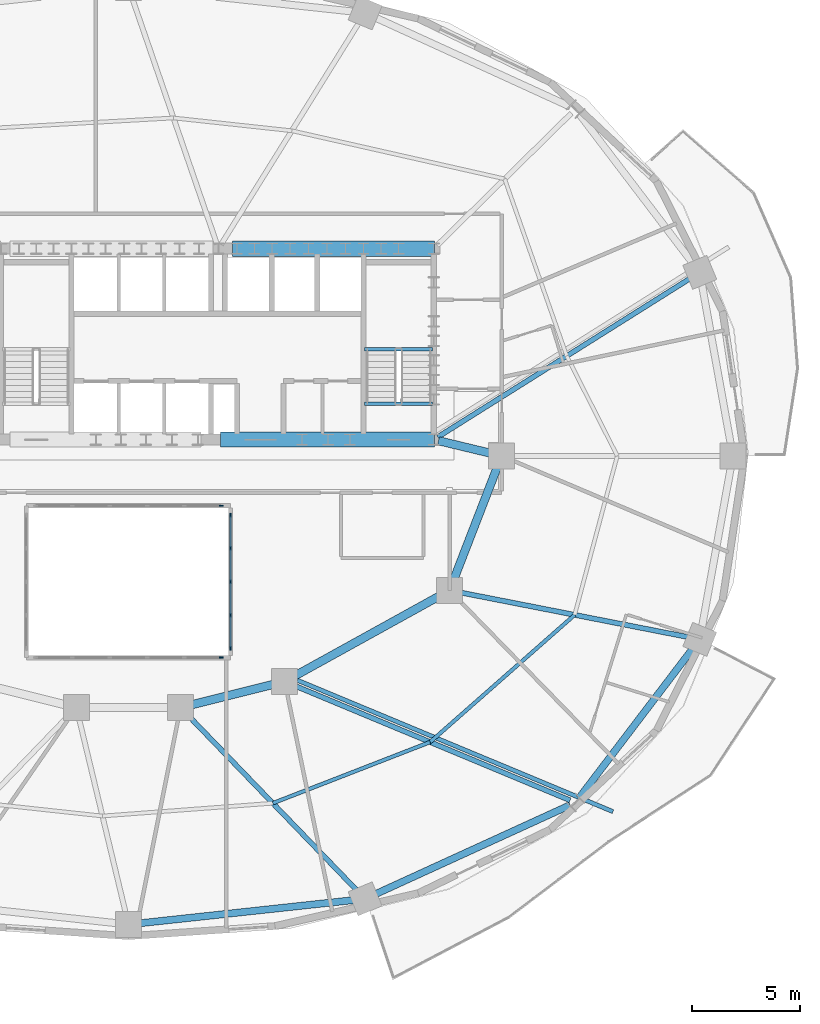
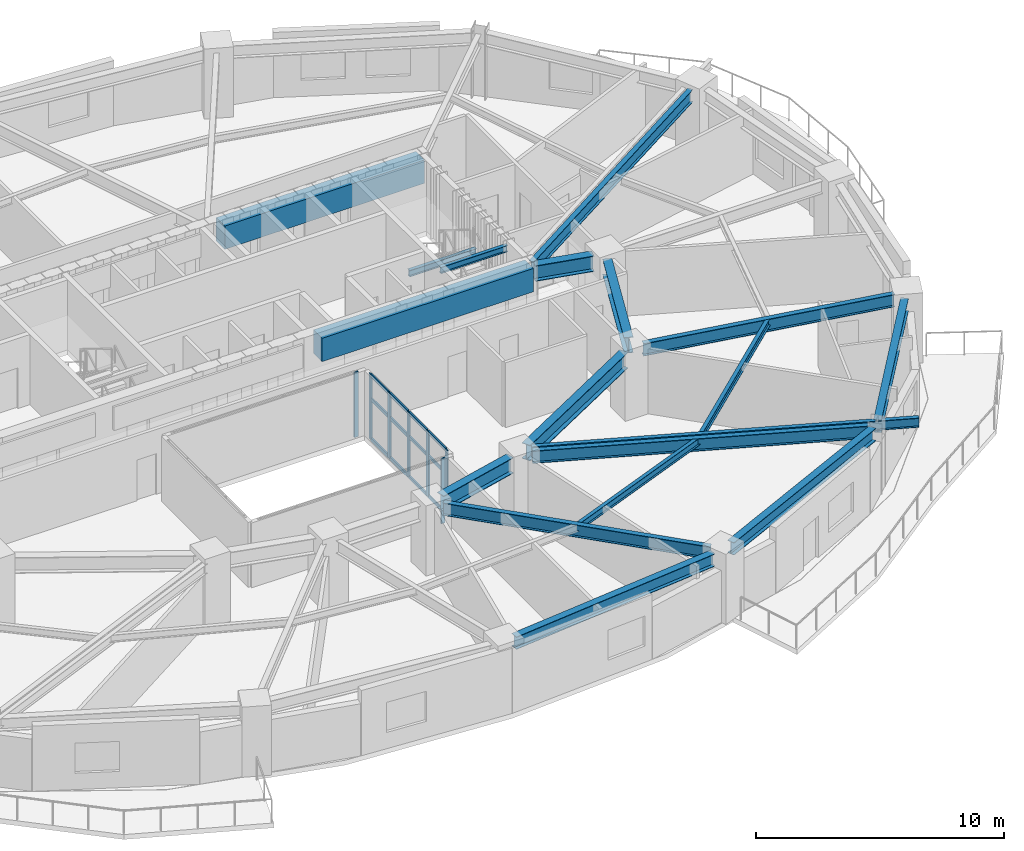
# One storey, part 4 of 12: 19 members, 18 beams, 3 elements without a shape of their own.
"""IFC4 building model written with IfcOpenShell, lengths in metres."""

from ifc_helpers import new_model, si_unit, direction, frame, origin, origin_2d, place, context, subcontext, project, spatial, rectangle, i_section, extrude, material, material_profile, profile_set, type_object, element, aggregate, save


model = new_model("IFC4")

# Units and contexts
model_context = context("Model", 3, precision=1e-05, world=origin(), true_north=direction((0.0, 1.0)))
body_context = subcontext(model_context, "Body", "Model", "MODEL_VIEW")
ifc_project = project(units=[si_unit("LENGTHUNIT", "METRE"), si_unit("AREAUNIT", "SQUARE_METRE"), si_unit("VOLUMEUNIT", "CUBIC_METRE"), si_unit("PLANEANGLEUNIT", "RADIAN"), si_unit("MASSUNIT", "GRAM", prefix="KILO")], contexts=[model_context])

# Site, building, storey
site_placement = place(None, origin())
site = spatial("IfcSite", under=ifc_project, at=site_placement, CompositionType="ELEMENT")
building_placement = place(site_placement, origin())
building = spatial("IfcBuilding", under=site, at=building_placement, Name="Haldorwick Loom Tower", CompositionType="ELEMENT")
storey_placement = place(building_placement, frame((0.0, 0.0, 110.449951171875)))
storey = spatial("IfcBuildingStorey", under=building, at=storey_placement, Name="L29", CompositionType="ELEMENT", Elevation=110.449951171875)

# Curtain wall, member
ifc_material_1 = material(Name="Thermally Broken Anodized Aluminium Curtain Wall Framing", Category="aluminium")
curtain_wall_type = type_object("IfcCurtainWallType", Name="ARC-CW-03", PredefinedType="NOTDEFINED", material=ifc_material_1)
curtain_wall_1_placement = place(storey_placement, origin())
curtain_wall_1 = element("IfcCurtainWall", 1, at=curtain_wall_1_placement, inside=storey, type_object=curtain_wall_type, Name="L29 Atrium Glazed Screen S", PredefinedType="NOTDEFINED")
ifc_material_profile_1 = material_profile(ifc_material_1, rectangle(XDim=0.06591796875, YDim=0.18505859375, at=origin_2d()), Name="ALU_MUL_66X185", Category="aluminium")
ifc_profile_set_1 = profile_set([ifc_material_profile_1], Name="Thermally Broken Anodized Aluminium Curtain Wall Framing")
member_type_1 = type_object("IfcMemberType", Name="ARC-CWM-03", PredefinedType="MULLION", material=ifc_profile_set_1)
member_1_placement = place(storey_placement, frame((40.26708984375, 16.699951171875, 0.0), z_axis=(0.0, 0.0, 1.0), x_axis=(0.0, -1.0, 0.0)))
member_1 = element("IfcMember", 2, at=member_1_placement, type_object=member_type_1, Name="CW-03 mullion 1", PredefinedType="MULLION", context=body_context, shape_type="SweptSolid", body=[
    extrude(rectangle(XDim=0.06591796875, YDim=0.18505859375, at=origin_2d()), origin(), (0.0, 0.0, 1.0), 3.2099609375),
])
aggregate(curtain_wall_1, [member_1])

curtain_wall_2_placement = place(storey_placement, origin())
curtain_wall_2 = element("IfcCurtainWall", 3, at=curtain_wall_2_placement, inside=storey, type_object=curtain_wall_type, Name="L29 Atrium Glazed Screen N", PredefinedType="NOTDEFINED")
member_2_placement = place(storey_placement, frame((40.26708984375, 23.699951171875, 0.0), z_axis=(0.0, 0.0, 1.0), x_axis=(0.0, 1.0, 0.0)))
member_2 = element("IfcMember", 4, at=member_2_placement, type_object=member_type_1, Name="CW-03 mullion 6", PredefinedType="MULLION", context=body_context, shape_type="SweptSolid", body=[
    extrude(rectangle(XDim=0.06591796875, YDim=0.18505859375, at=origin_2d()), origin(), (0.0, 0.0, 1.0), 3.2099609375),
])
aggregate(curtain_wall_2, [member_2])

# Curtain wall, members
curtain_wall_3_placement = place(storey_placement, origin())
curtain_wall_3 = element("IfcCurtainWall", 5, at=curtain_wall_3_placement, inside=storey, type_object=curtain_wall_type, Name="L29 Atrium Glazed Screen E", PredefinedType="NOTDEFINED")
member_3_placement = place(storey_placement, frame((40.699951171875, 23.26708984375, 0.0), z_axis=(0.0, 0.0, 1.0), x_axis=(1.0, 0.0, 0.0)))
member_3 = element("IfcMember", 6, at=member_3_placement, type_object=member_type_1, Name="CW-03 mullion 1", PredefinedType="MULLION", context=body_context, shape_type="SweptSolid", body=[
    extrude(rectangle(XDim=0.06591796875, YDim=0.18505859375, at=origin_2d()), origin(), (0.0, 0.0, 1.0), 3.2099609375),
])
member_4_placement = place(storey_placement, frame((40.699951171875, 21.75, 0.0), z_axis=(0.0, 0.0, 1.0), x_axis=(1.0, 0.0, 0.0)))
member_4 = element("IfcMember", 7, at=member_4_placement, type_object=member_type_1, Name="CW-03 mullion 2", PredefinedType="MULLION", context=body_context, shape_type="SweptSolid", body=[
    extrude(rectangle(XDim=0.06591796875, YDim=0.18505859375, at=origin_2d()), origin(), (0.0, 0.0, 1.0), 3.2099609375),
])
member_5_placement = place(storey_placement, frame((40.699951171875, 20.199951171875, 0.0), z_axis=(0.0, 0.0, 1.0), x_axis=(1.0, 0.0, 0.0)))
member_5 = element("IfcMember", 8, at=member_5_placement, type_object=member_type_1, Name="CW-03 mullion 3", PredefinedType="MULLION", context=body_context, shape_type="SweptSolid", body=[
    extrude(rectangle(XDim=0.06591796875, YDim=0.18505859375, at=origin_2d()), origin(), (0.0, 0.0, 1.0), 3.2099609375),
])
member_6_placement = place(storey_placement, frame((40.699951171875, 18.64990234375, 0.0), z_axis=(0.0, 0.0, 1.0), x_axis=(1.0, 0.0, 0.0)))
member_6 = element("IfcMember", 9, at=member_6_placement, type_object=member_type_1, Name="CW-03 mullion 4", PredefinedType="MULLION", context=body_context, shape_type="SweptSolid", body=[
    extrude(rectangle(XDim=0.06591796875, YDim=0.18505859375, at=origin_2d()), origin(), (0.0, 0.0, 1.0), 3.2099609375),
])
member_7_placement = place(storey_placement, frame((40.699951171875, 17.133056640625, 0.0), z_axis=(0.0, 0.0, 1.0), x_axis=(1.0, 0.0, 0.0)))
member_7 = element("IfcMember", 10, at=member_7_placement, type_object=member_type_1, Name="CW-03 mullion 5", PredefinedType="MULLION", context=body_context, shape_type="SweptSolid", body=[
    extrude(rectangle(XDim=0.06591796875, YDim=0.18505859375, at=origin_2d()), origin(), (0.0, 0.0, 1.0), 3.2099609375),
])
ifc_material_profile_2 = material_profile(ifc_material_1, rectangle(XDim=0.06591796875, YDim=0.1650390625, at=origin_2d()), Name="ALU_TRN_66X165", Category="aluminium")
ifc_profile_set_2 = profile_set([ifc_material_profile_2], Name="Thermally Broken Anodized Aluminium Curtain Wall Framing")
member_type_2 = type_object("IfcMemberType", Name="ARC-CWT-03", PredefinedType="USERDEFINED", material=ifc_profile_set_2)
member_8_placement = place(storey_placement, frame((40.699951171875, 23.23388671875, 0.032958984375), z_axis=(0.0, -1.0, 0.0), x_axis=(1.0, 0.0, 0.0)))
member_8 = element("IfcMember", 11, at=member_8_placement, type_object=member_type_2, Name="CW-03 transom 1.1", ObjectType="TRANSOM", PredefinedType="USERDEFINED", context=body_context, shape_type="SweptSolid", body=[
    extrude(rectangle(XDim=0.06591796875, YDim=0.1650390625, at=origin_2d()), origin(), (0.0, 0.0, 1.0), 1.450927734375),
])
member_9_placement = place(storey_placement, frame((40.699951171875, 23.23388671875, 2.0), z_axis=(0.0, -1.0, 0.0), x_axis=(1.0, 0.0, 0.0)))
member_9 = element("IfcMember", 12, at=member_9_placement, type_object=member_type_2, Name="CW-03 transom 1.2", ObjectType="TRANSOM", PredefinedType="USERDEFINED", context=body_context, shape_type="SweptSolid", body=[
    extrude(rectangle(XDim=0.06591796875, YDim=0.1650390625, at=origin_2d()), origin(), (0.0, 0.0, 1.0), 1.450927734375),
])
member_10_placement = place(storey_placement, frame((40.699951171875, 23.23388671875, 3.177001953125), z_axis=(0.0, -1.0, 0.0), x_axis=(1.0, 0.0, 0.0)))
member_10 = element("IfcMember", 13, at=member_10_placement, type_object=member_type_2, Name="CW-03 transom 1.3", ObjectType="TRANSOM", PredefinedType="USERDEFINED", context=body_context, shape_type="SweptSolid", body=[
    extrude(rectangle(XDim=0.06591796875, YDim=0.1650390625, at=origin_2d()), origin(), (0.0, 0.0, 1.0), 1.450927734375),
])
member_11_placement = place(storey_placement, frame((40.699951171875, 21.717041015625, 0.032958984375), z_axis=(0.0, -1.0, 0.0), x_axis=(1.0, 0.0, 0.0)))
member_11 = element("IfcMember", 14, at=member_11_placement, type_object=member_type_2, Name="CW-03 transom 2.1", ObjectType="TRANSOM", PredefinedType="USERDEFINED", context=body_context, shape_type="SweptSolid", body=[
    extrude(rectangle(XDim=0.06591796875, YDim=0.1650390625, at=origin_2d()), origin(), (0.0, 0.0, 1.0), 1.484130859375),
])
member_12_placement = place(storey_placement, frame((40.699951171875, 21.717041015625, 2.0), z_axis=(0.0, -1.0, 0.0), x_axis=(1.0, 0.0, 0.0)))
member_12 = element("IfcMember", 15, at=member_12_placement, type_object=member_type_2, Name="CW-03 transom 2.2", ObjectType="TRANSOM", PredefinedType="USERDEFINED", context=body_context, shape_type="SweptSolid", body=[
    extrude(rectangle(XDim=0.06591796875, YDim=0.1650390625, at=origin_2d()), origin(), (0.0, 0.0, 1.0), 1.484130859375),
])
member_13_placement = place(storey_placement, frame((40.699951171875, 21.717041015625, 3.177001953125), z_axis=(0.0, -1.0, 0.0), x_axis=(1.0, 0.0, 0.0)))
member_13 = element("IfcMember", 16, at=member_13_placement, type_object=member_type_2, Name="CW-03 transom 2.3", ObjectType="TRANSOM", PredefinedType="USERDEFINED", context=body_context, shape_type="SweptSolid", body=[
    extrude(rectangle(XDim=0.06591796875, YDim=0.1650390625, at=origin_2d()), origin(), (0.0, 0.0, 1.0), 1.484130859375),
])
member_14_placement = place(storey_placement, frame((40.699951171875, 20.1669921875, 0.032958984375), z_axis=(0.0, -1.0, 0.0), x_axis=(1.0, 0.0, 0.0)))
member_14 = element("IfcMember", 17, at=member_14_placement, type_object=member_type_2, Name="CW-03 transom 3.1", ObjectType="TRANSOM", PredefinedType="USERDEFINED", context=body_context, shape_type="SweptSolid", body=[
    extrude(rectangle(XDim=0.06591796875, YDim=0.1650390625, at=origin_2d()), origin(), (0.0, 0.0, 1.0), 1.48388671875),
])
member_15_placement = place(storey_placement, frame((40.699951171875, 20.1669921875, 2.0), z_axis=(0.0, -1.0, 0.0), x_axis=(1.0, 0.0, 0.0)))
member_15 = element("IfcMember", 18, at=member_15_placement, type_object=member_type_2, Name="CW-03 transom 3.2", ObjectType="TRANSOM", PredefinedType="USERDEFINED", context=body_context, shape_type="SweptSolid", body=[
    extrude(rectangle(XDim=0.06591796875, YDim=0.1650390625, at=origin_2d()), origin(), (0.0, 0.0, 1.0), 1.48388671875),
])
member_16_placement = place(storey_placement, frame((40.699951171875, 20.1669921875, 3.177001953125), z_axis=(0.0, -1.0, 0.0), x_axis=(1.0, 0.0, 0.0)))
member_16 = element("IfcMember", 19, at=member_16_placement, type_object=member_type_2, Name="CW-03 transom 3.3", ObjectType="TRANSOM", PredefinedType="USERDEFINED", context=body_context, shape_type="SweptSolid", body=[
    extrude(rectangle(XDim=0.06591796875, YDim=0.1650390625, at=origin_2d()), origin(), (0.0, 0.0, 1.0), 1.48388671875),
])
member_17_placement = place(storey_placement, frame((40.699951171875, 18.616943359375, 0.032958984375), z_axis=(0.0, -1.0, 0.0), x_axis=(1.0, 0.0, 0.0)))
member_17 = element("IfcMember", 20, at=member_17_placement, type_object=member_type_2, Name="CW-03 transom 4.1", ObjectType="TRANSOM", PredefinedType="USERDEFINED", context=body_context, shape_type="SweptSolid", body=[
    extrude(rectangle(XDim=0.06591796875, YDim=0.1650390625, at=origin_2d()), origin(), (0.0, 0.0, 1.0), 1.450927734375),
])
member_18_placement = place(storey_placement, frame((40.699951171875, 18.616943359375, 2.0), z_axis=(0.0, -1.0, 0.0), x_axis=(1.0, 0.0, 0.0)))
member_18 = element("IfcMember", 21, at=member_18_placement, type_object=member_type_2, Name="CW-03 transom 4.2", ObjectType="TRANSOM", PredefinedType="USERDEFINED", context=body_context, shape_type="SweptSolid", body=[
    extrude(rectangle(XDim=0.06591796875, YDim=0.1650390625, at=origin_2d()), origin(), (0.0, 0.0, 1.0), 1.450927734375),
])
member_19_placement = place(storey_placement, frame((40.699951171875, 18.616943359375, 3.177001953125), z_axis=(0.0, -1.0, 0.0), x_axis=(1.0, 0.0, 0.0)))
member_19 = element("IfcMember", 22, at=member_19_placement, type_object=member_type_2, Name="CW-03 transom 4.3", ObjectType="TRANSOM", PredefinedType="USERDEFINED", context=body_context, shape_type="SweptSolid", body=[
    extrude(rectangle(XDim=0.06591796875, YDim=0.1650390625, at=origin_2d()), origin(), (0.0, 0.0, 1.0), 1.450927734375),
])
aggregate(curtain_wall_3, [member_3, member_4, member_5, member_6, member_7, member_8, member_9, member_10, member_11, member_12, member_13, member_14, member_15, member_16, member_17, member_18, member_19])

# Beams
ifc_material_2 = material(Name="Steel CSA G40.21 350W", Category="steel")
ifc_material_profile_3 = material_profile(ifc_material_2, i_section(OverallWidth=0.193115234375, OverallDepth=0.466064453125, WebThickness=0.011474609375, FlangeThickness=0.01904296875, at=origin_2d()), Name="W460X97", Category="steel")
ifc_profile_set_3 = profile_set([ifc_material_profile_3], Name="Steel CSA G40.21 350W")
beam_type_1 = type_object("IfcBeamType", Name="STR-BM-BAL460", PredefinedType="BEAM", material=ifc_profile_set_3)
beam_1_placement = place(storey_placement, frame((43.78759765625, 15.65869140625, 2.97705078125), z_axis=(0.923187850755, -0.384349049976, 0.0), x_axis=(0.384349049976, 0.923187850755, 0.0)))
element("IfcBeam", 23, at=beam_1_placement, inside=storey, type_object=beam_type_1, Name="L29 Continuous Back-Spanned Balcony Beam 1", PredefinedType="BEAM", context=body_context, shape_type="SweptSolid", body=[
    extrude(i_section(OverallWidth=0.193115234375, OverallDepth=0.466064453125, WebThickness=0.011474609375, FlangeThickness=0.01904296875, at=origin_2d()), origin(), (0.0, 0.0, 1.0), 15.75244140625),
])
ifc_material_3 = material(Name="Concrete C60 (60 MPa)", Category="concrete")
ifc_material_profile_4 = material_profile(ifc_material_3, rectangle(XDim=0.699951171875, YDim=1.14990234375, at=origin_2d()), Name="RC700X1150", Category="concrete")
ifc_profile_set_4 = profile_set([ifc_material_profile_4], Name="Concrete C60 (60 MPa)")
beam_type_2 = type_object("IfcBeamType", Name="STR-BM-CB1150", PredefinedType="LINTEL", material=ifc_profile_set_4)
beam_2_placement = place(storey_placement, frame((40.800048828125, 35.550048828125, 2.635009765625), z_axis=(1.0, 0.0, 0.0), x_axis=(0.0, 1.0, 0.0)))
element("IfcBeam", 24, at=beam_2_placement, inside=storey, type_object=beam_type_2, Name="L29 Core Coupling Beam CB-N3", PredefinedType="LINTEL", context=body_context, shape_type="SweptSolid", body=[
    extrude(rectangle(XDim=0.699951171875, YDim=1.14990234375, at=origin_2d()), origin(), (0.0, 0.0, 1.0), 9.300048828125),
])
beam_3_placement = place(storey_placement, frame((40.25, 26.75, 2.635009765625), z_axis=(1.0, 0.0, 0.0), x_axis=(0.0, 1.0, 0.0)))
element("IfcBeam", 25, at=beam_3_placement, inside=storey, type_object=beam_type_2, Name="L29 Core Coupling Beam CB-S3", PredefinedType="LINTEL", context=body_context, shape_type="SweptSolid", body=[
    extrude(rectangle(XDim=0.699951171875, YDim=1.14990234375, at=origin_2d()), origin(), (0.0, 0.0, 1.0), 9.85009765625),
])
ifc_material_profile_5 = material_profile(ifc_material_2, i_section(OverallWidth=0.172119140625, OverallDepth=0.35791015625, WebThickness=0.0078125, FlangeThickness=0.01318359375, at=origin_2d()), Name="W360X57", Category="steel")
ifc_profile_set_5 = profile_set([ifc_material_profile_5], Name="Steel CSA G40.21 350W")
beam_type_3 = type_object("IfcBeamType", Name="STR-BM-J360", PredefinedType="JOIST", material=ifc_profile_set_5)
beam_4_placement = place(storey_placement, frame((42.6533203125, 9.9912109375, 3.031005859375), z_axis=(0.932072983051, 0.362270553959, 0.0), x_axis=(-0.362270553959, 0.932072983051, 0.0)))
element("IfcBeam", 26, at=beam_4_placement, inside=storey, type_object=beam_type_3, Name="L29 Mid-Bay Secondary Joist 14", PredefinedType="JOIST", context=body_context, shape_type="SweptSolid", body=[
    extrude(i_section(OverallWidth=0.172119140625, OverallDepth=0.35791015625, WebThickness=0.0078125, FlangeThickness=0.01318359375, at=origin_2d()), origin(), (0.0, 0.0, 1.0), 7.7783203125),
])
beam_5_placement = place(storey_placement, frame((49.9033203125, 12.80908203125, 3.031005859375), z_axis=(0.750721157729, 0.660619212057, 0.0), x_axis=(-0.660619212057, 0.750721157729, 0.0)))
element("IfcBeam", 27, at=beam_5_placement, inside=storey, type_object=beam_type_3, Name="L29 Mid-Bay Secondary Joist 15", PredefinedType="JOIST", context=body_context, shape_type="SweptSolid", body=[
    extrude(i_section(OverallWidth=0.172119140625, OverallDepth=0.35791015625, WebThickness=0.0078125, FlangeThickness=0.01318359375, at=origin_2d()), origin(), (0.0, 0.0, 1.0), 8.8740234375),
])
ifc_material_profile_6 = material_profile(ifc_material_2, i_section(OverallWidth=0.324951171875, OverallDepth=0.615966796875, WebThickness=0.013916015625, FlangeThickness=0.021484375, at=origin_2d()), Name="W610X174", Category="steel")
ifc_profile_set_6 = profile_set([ifc_material_profile_6], Name="Steel CSA G40.21 350W")
beam_type_4 = type_object("IfcBeamType", Name="STR-BM-SP610", PredefinedType="SPANDREL", material=ifc_profile_set_6)
beam_6_placement = place(storey_placement, frame((36.51708984375, 4.45751953125, 2.902099609375), z_axis=(0.994190135627, 0.107638163409, 0.0), x_axis=(-0.107638163409, 0.994190135627, 0.0)))
element("IfcBeam", 28, at=beam_6_placement, inside=storey, type_object=beam_type_4, Name="L29 Perimeter Spandrel 13", PredefinedType="SPANDREL", context=body_context, shape_type="SweptSolid", body=[
    extrude(i_section(OverallWidth=0.324951171875, OverallDepth=0.615966796875, WebThickness=0.013916015625, FlangeThickness=0.021484375, at=origin_2d()), origin(), (0.0, 0.0, 1.0), 9.929931640625),
])
beam_7_placement = place(storey_placement, frame((47.37939453125, 5.798583984375, 2.902099609375), z_axis=(0.909423969306, 0.415870225011, 0.0), x_axis=(-0.415870225011, 0.909423969306, 0.0)))
element("IfcBeam", 29, at=beam_7_placement, inside=storey, type_object=beam_type_4, Name="L29 Perimeter Spandrel 14", PredefinedType="SPANDREL", context=body_context, shape_type="SweptSolid", body=[
    extrude(i_section(OverallWidth=0.324951171875, OverallDepth=0.615966796875, WebThickness=0.013916015625, FlangeThickness=0.021484375, at=origin_2d()), origin(), (0.0, 0.0, 1.0), 9.871337890625),
])
beam_8_placement = place(storey_placement, frame((56.773193359375, 10.2373046875, 2.902099609375), z_axis=(0.605453508047, 0.795880675475, 0.0), x_axis=(-0.795880675475, 0.605453508047, 0.0)))
element("IfcBeam", 30, at=beam_8_placement, inside=storey, type_object=beam_type_4, Name="L29 Perimeter Spandrel 15", PredefinedType="SPANDREL", context=body_context, shape_type="SweptSolid", body=[
    extrude(i_section(OverallWidth=0.324951171875, OverallDepth=0.615966796875, WebThickness=0.013916015625, FlangeThickness=0.021484375, at=origin_2d()), origin(), (0.0, 0.0, 1.0), 8.6591796875),
])
ifc_material_profile_7 = material_profile(ifc_material_2, i_section(OverallWidth=0.166015625, OverallDepth=0.31298828125, WebThickness=0.006591796875, FlangeThickness=0.01123046875, at=origin_2d()), Name="W310X45", Category="steel")
ifc_profile_set_7 = profile_set([ifc_material_profile_7], Name="Steel CSA G40.21 350W")
beam_type_5 = type_object("IfcBeamType", Name="STR-BM-STRM", PredefinedType="BEAM", material=ifc_profile_set_7)
for number, where, z_axis, x_axis, name in (
    (31, (46.889892578125, 28.39990234375, 3.053466796875), (1.0, 0.0, 0.0), (0.0, 1.0, 0.0), "L29 Stair ST-02 Landing Edge Trimmer"),
    (32, (46.889892578125, 30.919921875, 1.36865234375), (1.0, 0.0, 0.0), (0.0, 1.0, 0.0), "L29 Stair ST-02 Half-Landing Trimmer 1"),
):
    element("IfcBeam", number, at=place(storey_placement, frame(where, z_axis=z_axis, x_axis=x_axis)), inside=storey, type_object=beam_type_5, Name=name, PredefinedType="BEAM", context=body_context, shape_type="SweptSolid", body=[
        extrude(i_section(OverallWidth=0.166015625, OverallDepth=0.31298828125, WebThickness=0.006591796875, FlangeThickness=0.01123046875, at=origin_2d()), origin(), (0.0, 0.0, 1.0), 3.1201171875),
    ])
ifc_material_profile_8 = material_profile(ifc_material_2, i_section(OverallWidth=0.22998046875, OverallDepth=0.616943359375, WebThickness=0.01318359375, FlangeThickness=0.022216796875, at=origin_2d()), Name="W610X140", Category="steel")
ifc_profile_set_8 = profile_set([ifc_material_profile_8], Name="Steel CSA G40.21 350W")
beam_type_6 = type_object("IfcBeamType", Name="STR-BM-W610B", PredefinedType="BEAM", material=ifc_profile_set_8)
beam_9_placement = place(storey_placement, frame((50.260498046875, 26.86962890625, 2.901611328125), z_axis=(0.846609551433, 0.532214493811, 0.0), x_axis=(-0.532214493811, 0.846609551433, 0.0)))
element("IfcBeam", 33, at=beam_9_placement, inside=storey, type_object=beam_type_6, Name="L29 Radial Floor Girder 2", PredefinedType="BEAM", context=body_context, shape_type="SweptSolid", body=[
    extrude(i_section(OverallWidth=0.22998046875, OverallDepth=0.616943359375, WebThickness=0.01318359375, FlangeThickness=0.022216796875, at=origin_2d()), origin(), (0.0, 0.0, 1.0), 13.737060546875),
])
beam_10_placement = place(storey_placement, frame((38.760986328125, 14.02587890625, 2.901611328125), z_axis=(0.694287071595, -0.719698174387, 0.0), x_axis=(0.719698174387, 0.694287071595, 0.0)))
element("IfcBeam", 34, at=beam_10_placement, inside=storey, type_object=beam_type_6, Name="L29 Radial Floor Girder 14", PredefinedType="BEAM", context=body_context, shape_type="SweptSolid", body=[
    extrude(i_section(OverallWidth=0.22998046875, OverallDepth=0.616943359375, WebThickness=0.01318359375, FlangeThickness=0.022216796875, at=origin_2d()), origin(), (0.0, 0.0, 1.0), 11.212158203125),
])
beam_11_placement = place(storey_placement, frame((43.68017578125, 15.400146484375, 2.901611328125), z_axis=(0.923183704764, -0.384359008297, 0.0), x_axis=(0.384359008297, 0.923183704764, 0.0)))
element("IfcBeam", 35, at=beam_11_placement, inside=storey, type_object=beam_type_6, Name="L29 Radial Floor Girder 15", PredefinedType="BEAM", context=body_context, shape_type="SweptSolid", body=[
    extrude(i_section(OverallWidth=0.22998046875, OverallDepth=0.616943359375, WebThickness=0.01318359375, FlangeThickness=0.022216796875, at=origin_2d()), origin(), (0.0, 0.0, 1.0), 13.72705078125),
])
beam_12_placement = place(storey_placement, frame((51.310302734375, 19.7001953125, 2.901611328125), z_axis=(0.981369581426, -0.192129499692, 0.0), x_axis=(0.192129499692, 0.981369581426, 0.0)))
element("IfcBeam", 36, at=beam_12_placement, inside=storey, type_object=beam_type_6, Name="L29 Radial Floor Girder 16", PredefinedType="BEAM", context=body_context, shape_type="SweptSolid", body=[
    extrude(i_section(OverallWidth=0.22998046875, OverallDepth=0.616943359375, WebThickness=0.01318359375, FlangeThickness=0.022216796875, at=origin_2d()), origin(), (0.0, 0.0, 1.0), 10.70947265625),
])
ifc_material_profile_9 = material_profile(ifc_material_2, i_section(OverallWidth=0.381103515625, OverallDepth=0.77294921875, WebThickness=0.0166015625, FlangeThickness=0.027587890625, at=origin_2d()), Name="W760X257", Category="steel")
ifc_profile_set_9 = profile_set([ifc_material_profile_9], Name="Steel CSA G40.21 350W")
beam_type_7 = type_object("IfcBeamType", Name="STR-BM-W760", PredefinedType="BEAM", material=ifc_profile_set_9)
beam_13_placement = place(storey_placement, frame((50.288818359375, 26.697509765625, 2.823486328125), z_axis=(0.97247055837, -0.233025777764, 0.0), x_axis=(0.233025777764, 0.97247055837, 0.0)))
element("IfcBeam", 37, at=beam_13_placement, inside=storey, type_object=beam_type_7, Name="L29 Inner Ring Girder 1", PredefinedType="BEAM", context=body_context, shape_type="SweptSolid", body=[
    extrude(i_section(OverallWidth=0.381103515625, OverallDepth=0.77294921875, WebThickness=0.0166015625, FlangeThickness=0.027587890625, at=origin_2d()), origin(), (0.0, 0.0, 1.0), 2.4736328125),
])
beam_14_placement = place(storey_placement, frame((53.01220703125, 25.51513671875, 2.823486328125), z_axis=(-0.360964792353, -0.93257944363, 0.0), x_axis=(0.93257944363, -0.360964792353, 0.0)))
element("IfcBeam", 38, at=beam_14_placement, inside=storey, type_object=beam_type_7, Name="L29 Inner Ring Girder 2", PredefinedType="BEAM", context=body_context, shape_type="SweptSolid", body=[
    extrude(i_section(OverallWidth=0.381103515625, OverallDepth=0.77294921875, WebThickness=0.0166015625, FlangeThickness=0.027587890625, at=origin_2d()), origin(), (0.0, 0.0, 1.0), 5.6083984375),
])
beam_15_placement = place(storey_placement, frame((50.344970703125, 19.548583984375, 2.823486328125), z_axis=(-0.875244382146, -0.483680960471, 0.0), x_axis=(0.483680960471, -0.875244382146, 0.0)))
element("IfcBeam", 39, at=beam_15_placement, inside=storey, type_object=beam_type_7, Name="L29 Inner Ring Girder 3", PredefinedType="BEAM", context=body_context, shape_type="SweptSolid", body=[
    extrude(i_section(OverallWidth=0.381103515625, OverallDepth=0.77294921875, WebThickness=0.0166015625, FlangeThickness=0.027587890625, at=origin_2d()), origin(), (0.0, 0.0, 1.0), 7.6435546875),
])
beam_16_placement = place(storey_placement, frame((42.695556640625, 15.473876953125, 2.823486328125), z_axis=(-0.970142500145, -0.242535625036, 0.0), x_axis=(0.242535625036, -0.970142500145, 0.0)))
element("IfcBeam", 40, at=beam_16_placement, inside=storey, type_object=beam_type_7, Name="L29 Inner Ring Girder 4", PredefinedType="BEAM", context=body_context, shape_type="SweptSolid", body=[
    extrude(i_section(OverallWidth=0.381103515625, OverallDepth=0.77294921875, WebThickness=0.0166015625, FlangeThickness=0.027587890625, at=origin_2d()), origin(), (0.0, 0.0, 1.0), 3.90771484375),
])

save(model, "model.ifc")
